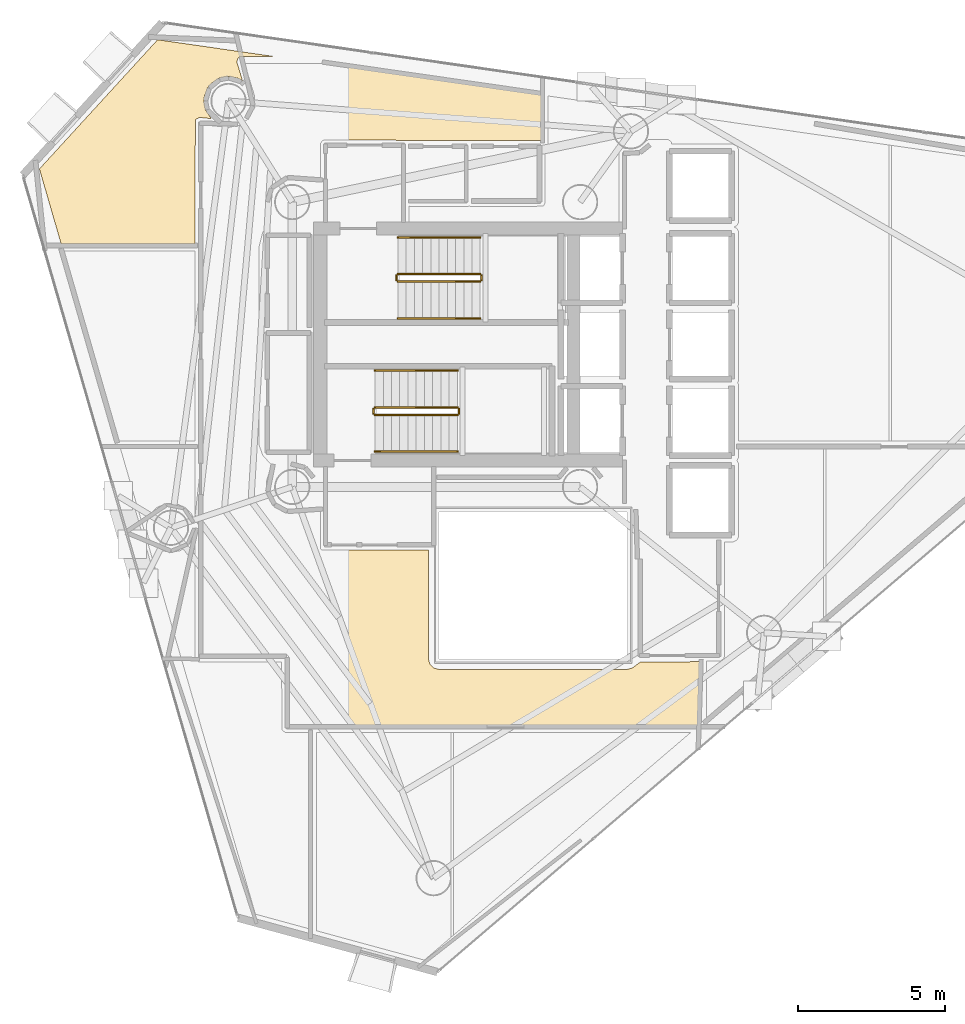
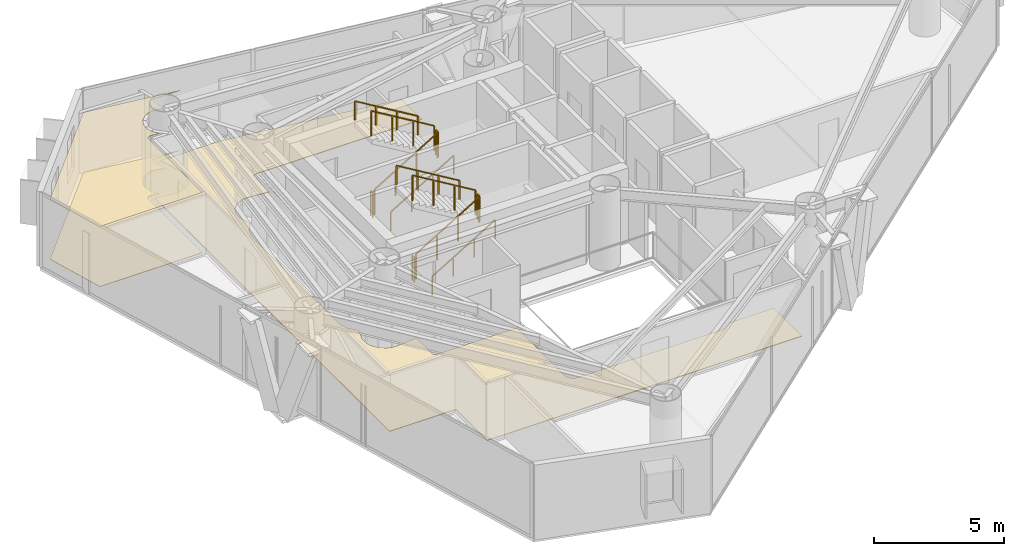
# One storey, part 22 of 23: 12 railings, 3 coverings.
"""IFC4 building model written with IfcOpenShell, lengths in metres."""

from ifc_helpers import new_model, si_unit, direction, frame, origin, origin_2d, place, context, subcontext, project, spatial, polyline, rectangle, outline, extrude, material, layer, layer_set, type_object, element, save


model = new_model("IFC4")

# Units and contexts
model_context = context("Model", 3, precision=1e-05, world=origin(), true_north=direction((0.0, 1.0)))
body_context = subcontext(model_context, "Body", "Model", "MODEL_VIEW")
ifc_project = project(units=[si_unit("LENGTHUNIT", "METRE"), si_unit("AREAUNIT", "SQUARE_METRE"), si_unit("VOLUMEUNIT", "CUBIC_METRE"), si_unit("PLANEANGLEUNIT", "RADIAN"), si_unit("MASSUNIT", "GRAM", prefix="KILO")], contexts=[model_context])

# Site, building, storey
site_placement = place(None, origin())
site = spatial("IfcSite", under=ifc_project, at=site_placement, CompositionType="ELEMENT")
building_placement = place(site_placement, origin())
building = spatial("IfcBuilding", under=site, at=building_placement, Name="Qianvela Tower", CompositionType="ELEMENT")
storey_placement = place(building_placement, frame((0.0, 0.0, 215.10009765625)))
storey = spatial("IfcBuildingStorey", under=building, at=storey_placement, Name="L55", CompositionType="ELEMENT", Elevation=215.10009765625)

# Coverings
ifc_material_1 = material(Name="Perforated Mineral Acoustic Ceiling Tile")
ifc_layer_1 = layer(ifc_material_1, 0.02490234375)
ifc_layer_set_1 = layer_set([ifc_layer_1], Name="Perforated Mineral Acoustic Ceiling Tile")
covering_type_1 = type_object("IfcCoveringType", Name="COV-CEIL-ACOUSTIC-25", PredefinedType="CEILING", material=ifc_layer_set_1)
covering_1_placement = place(storey_placement, frame((0.0, 0.0, 2.81494140625)))
element("IfcCovering", 1, at=covering_1_placement, inside=storey, type_object=covering_type_1, Name="L55 Acoustic Ceiling Social Galley Kitchen L55-04", PredefinedType="CEILING", context=body_context, shape_type="SweptSolid", body=[
    extrude(outline(polyline([(25.845703125, 36.390380859375), (25.4658203125, 36.427734375), (25.457763671875, 36.42822265625), (25.449951171875, 36.427734375), (25.442138671875, 36.4267578125), (25.4345703125, 36.4248046875), (25.42724609375, 36.422119140625), (25.420166015625, 36.418701171875), (25.341796875, 36.376953125), (25.3349609375, 36.372802734375), (25.32861328125, 36.3681640625), (25.322998046875, 36.36279296875), (25.317626953125, 36.357177734375), (25.31298828125, 36.350830078125), (25.308837890625, 36.343994140625), (25.3056640625, 36.337158203125), (25.302978515625, 36.32958984375), (25.301025390625, 36.322021484375), (25.2998046875, 36.314208984375), (25.29931640625, 36.306396484375), (25.290283203125, 32.1220703125), (20.733154296875, 32.1220703125), (19.992431640625, 34.678466796875), (24.015869140625, 39.076416015625), (27.9814453125, 38.50537109375), (26.833740234375, 38.50048828125), (26.825927734375, 38.5), (26.818115234375, 38.4990234375), (26.810546875, 38.4970703125), (26.80322265625, 38.494384765625), (26.796142578125, 38.490966796875), (26.78955078125, 38.487060546875), (26.783203125, 38.482421875), (26.777587890625, 38.47705078125), (26.772216796875, 38.47119140625), (26.767578125, 38.465087890625), (26.763427734375, 38.458251953125), (26.76025390625, 38.451171875), (26.721435546875, 38.357421875), (26.71875, 38.35009765625), (26.716796875, 38.34228515625), (26.7158203125, 38.334716796875), (26.71533203125, 38.326904296875), (26.7158203125, 38.31884765625), (26.716796875, 38.311279296875), (26.71875, 38.3037109375), (26.90673828125, 37.683349609375), (26.904052734375, 37.685791015625), (26.897705078125, 37.6904296875), (26.890869140625, 37.694580078125), (26.759521484375, 37.7646484375), (26.75244140625, 37.76806640625), (26.7451171875, 37.770751953125), (26.7373046875, 37.772705078125), (26.446533203125, 37.83056640625), (26.438720703125, 37.83154296875), (26.430908203125, 37.83203125), (26.423095703125, 37.83154296875), (26.415283203125, 37.83056640625), (26.12451171875, 37.772705078125), (26.116943359375, 37.770751953125), (26.109619140625, 37.76806640625), (26.102294921875, 37.7646484375), (26.095703125, 37.7607421875), (25.84912109375, 37.595947265625), (25.8427734375, 37.59130859375), (25.8369140625, 37.5859375), (25.831787109375, 37.580078125), (25.7373046875, 37.465087890625), (25.732666015625, 37.458740234375), (25.728515625, 37.451904296875), (25.72509765625, 37.44482421875), (25.61181640625, 37.1708984375), (25.60888671875, 37.16357421875), (25.607177734375, 37.156005859375), (25.60595703125, 37.148193359375), (25.59130859375, 36.999755859375), (25.591064453125, 36.991943359375), (25.59130859375, 36.984130859375), (25.592529296875, 36.976318359375), (25.650390625, 36.685546875), (25.65234375, 36.677978515625), (25.65478515625, 36.67041015625), (25.658203125, 36.663330078125), (25.662353515625, 36.65673828125), (25.8271484375, 36.41015625), (25.831787109375, 36.40380859375), (25.8369140625, 36.39794921875), (25.8427734375, 36.392822265625), (25.845703125, 36.390380859375)])), origin(), (0.0, 0.0, 1.0), 0.02490234375),
])
ifc_material_2 = material(Name="Engineered Acoustic Oak Timber Flooring", Category="wood")
ifc_layer_2 = layer(ifc_material_2, 0.02001953125)
ifc_layer_set_2 = layer_set([ifc_layer_2], Name="Engineered Acoustic Oak Timber Flooring")
covering_type_2 = type_object("IfcCoveringType", Name="COV-FLOOR-OAK-20", PredefinedType="FLOORING", material=ifc_layer_set_2)
covering_2_placement = place(storey_placement, origin())
element("IfcCovering", 2, at=covering_2_placement, inside=storey, type_object=covering_type_2, Name="L55 Finish Flooring Social Galley Kitchen L55-04", PredefinedType="FLOORING", context=body_context, shape_type="SweptSolid", body=[
    extrude(outline(polyline([(25.845703125, 36.390380859375), (25.4658203125, 36.427734375), (25.457763671875, 36.42822265625), (25.449951171875, 36.427734375), (25.442138671875, 36.4267578125), (25.4345703125, 36.4248046875), (25.42724609375, 36.422119140625), (25.420166015625, 36.418701171875), (25.341796875, 36.376953125), (25.3349609375, 36.372802734375), (25.32861328125, 36.3681640625), (25.322998046875, 36.36279296875), (25.317626953125, 36.357177734375), (25.31298828125, 36.350830078125), (25.308837890625, 36.343994140625), (25.3056640625, 36.337158203125), (25.302978515625, 36.32958984375), (25.301025390625, 36.322021484375), (25.2998046875, 36.314208984375), (25.29931640625, 36.306396484375), (25.290283203125, 32.1220703125), (20.733154296875, 32.1220703125), (19.992431640625, 34.678466796875), (24.015869140625, 39.076416015625), (27.9814453125, 38.50537109375), (26.833740234375, 38.50048828125), (26.825927734375, 38.5), (26.818115234375, 38.4990234375), (26.810546875, 38.4970703125), (26.80322265625, 38.494384765625), (26.796142578125, 38.490966796875), (26.78955078125, 38.487060546875), (26.783203125, 38.482421875), (26.777587890625, 38.47705078125), (26.772216796875, 38.47119140625), (26.767578125, 38.465087890625), (26.763427734375, 38.458251953125), (26.76025390625, 38.451171875), (26.721435546875, 38.357421875), (26.71875, 38.35009765625), (26.716796875, 38.34228515625), (26.7158203125, 38.334716796875), (26.71533203125, 38.326904296875), (26.7158203125, 38.31884765625), (26.716796875, 38.311279296875), (26.71875, 38.3037109375), (26.90673828125, 37.683349609375), (26.904052734375, 37.685791015625), (26.897705078125, 37.6904296875), (26.890869140625, 37.694580078125), (26.759521484375, 37.7646484375), (26.75244140625, 37.76806640625), (26.7451171875, 37.770751953125), (26.7373046875, 37.772705078125), (26.446533203125, 37.83056640625), (26.438720703125, 37.83154296875), (26.430908203125, 37.83203125), (26.423095703125, 37.83154296875), (26.415283203125, 37.83056640625), (26.12451171875, 37.772705078125), (26.116943359375, 37.770751953125), (26.109619140625, 37.76806640625), (26.102294921875, 37.7646484375), (26.095703125, 37.7607421875), (25.84912109375, 37.595947265625), (25.8427734375, 37.59130859375), (25.8369140625, 37.5859375), (25.831787109375, 37.580078125), (25.7373046875, 37.465087890625), (25.732666015625, 37.458740234375), (25.728515625, 37.451904296875), (25.72509765625, 37.44482421875), (25.61181640625, 37.1708984375), (25.60888671875, 37.16357421875), (25.607177734375, 37.156005859375), (25.60595703125, 37.148193359375), (25.59130859375, 36.999755859375), (25.591064453125, 36.991943359375), (25.59130859375, 36.984130859375), (25.592529296875, 36.976318359375), (25.650390625, 36.685546875), (25.65234375, 36.677978515625), (25.65478515625, 36.67041015625), (25.658203125, 36.663330078125), (25.662353515625, 36.65673828125), (25.8271484375, 36.41015625), (25.831787109375, 36.40380859375), (25.8369140625, 36.39794921875), (25.8427734375, 36.392822265625), (25.845703125, 36.390380859375)])), origin(), (0.0, 0.0, 1.0), 0.02001953125),
])
ifc_material_3 = material(Name="Honed Stone Terrazzo Flooring", Category="masonry")
ifc_layer_3 = layer(ifc_material_3, 0.030029296875)
ifc_layer_set_3 = layer_set([ifc_layer_3], Name="Honed Stone Terrazzo Flooring")
covering_type_3 = type_object("IfcCoveringType", Name="COV-FLOOR-TERRAZZO-30", PredefinedType="FLOORING", material=ifc_layer_set_3)
covering_3_placement = place(storey_placement, origin())
element("IfcCovering", 3, at=covering_3_placement, inside=storey, type_object=covering_type_3, Name="L55 Finish Flooring L55 Floor Corridor", PredefinedType="FLOORING", context=body_context, shape_type="SweptSolid", body=[
    extrude(outline(polyline([(27.30908203125, 36.801513671875), (27.311767578125, 36.808837890625), (27.313720703125, 36.81640625), (27.31494140625, 36.82421875), (27.315185546875, 36.83203125), (27.315185546875, 37.152099609375), (27.31494140625, 37.159912109375), (27.313720703125, 37.16748046875), (27.311767578125, 37.17529296875), (26.979736328125, 38.27001953125), (29.61669921875, 38.27001953125), (37.070068359375, 37.197021484375), (37.070068359375, 35.64013671875), (29.68798828125, 35.660888671875), (29.680419921875, 35.660400390625), (29.672607421875, 35.6591796875), (29.664794921875, 35.657470703125), (29.657470703125, 35.65478515625), (29.650390625, 35.6513671875), (29.6435546875, 35.6474609375), (29.63720703125, 35.642578125), (29.63134765625, 35.637451171875), (29.626220703125, 35.631591796875), (29.576171875, 35.57080078125), (29.571533203125, 35.564453125), (29.5673828125, 35.5576171875), (29.564208984375, 35.550537109375), (29.561279296875, 35.543212890625), (29.5595703125, 35.53564453125), (29.558349609375, 35.52783203125), (29.55810546875, 35.52001953125), (29.55810546875, 34.35595703125), (28.60791015625, 34.44970703125), (28.60009765625, 34.449951171875), (28.59228515625, 34.44970703125), (28.43212890625, 34.433837890625), (28.42431640625, 34.4326171875), (28.416748046875, 34.430908203125), (28.409423828125, 34.42822265625), (28.11376953125, 34.3056640625), (28.106689453125, 34.302490234375), (28.10009765625, 34.29833984375), (28.09375, 34.293701171875), (28.087890625, 34.288330078125), (27.861572265625, 34.06201171875), (27.8564453125, 34.056396484375), (27.851806640625, 34.050048828125), (27.84765625, 34.043212890625), (27.84423828125, 34.0361328125), (27.7216796875, 33.740478515625), (27.71923828125, 33.733154296875), (27.71728515625, 33.7255859375), (27.716064453125, 33.7177734375), (27.700439453125, 33.557861328125), (27.699951171875, 33.550048828125), (27.700439453125, 33.542236328125), (27.716064453125, 33.382080078125), (27.71728515625, 33.37451171875), (27.71923828125, 33.36669921875), (27.865478515625, 32.884521484375), (27.60107421875, 32.52685546875), (27.5966796875, 32.5205078125), (27.593017578125, 32.513427734375), (27.590087890625, 32.50634765625), (27.587890625, 32.4990234375), (27.472412109375, 32.0458984375), (27.47119140625, 32.039306640625), (27.47021484375, 32.03271484375), (27.469970703125, 32.026123046875), (27.469970703125, 25.291259765625), (27.47021484375, 25.2841796875), (27.47119140625, 25.27734375), (27.47265625, 25.2705078125), (27.474853515625, 25.263916015625), (27.59326171875, 24.938232421875), (27.59619140625, 24.93115234375), (27.599853515625, 24.92431640625), (27.604248046875, 24.91796875), (27.609130859375, 24.911865234375), (27.89111328125, 24.599853515625), (27.71923828125, 24.033203125), (27.71728515625, 24.025634765625), (27.716064453125, 24.017822265625), (27.7158203125, 24.010009765625), (27.7158203125, 23.68994140625), (27.716064453125, 23.68212890625), (27.71728515625, 23.67431640625), (27.71923828125, 23.666748046875), (27.765869140625, 23.512939453125), (27.7685546875, 23.505615234375), (27.77197265625, 23.49853515625), (27.77587890625, 23.49169921875), (27.95361328125, 23.2255859375), (27.958251953125, 23.219482421875), (27.963623046875, 23.213623046875), (27.969482421875, 23.208251953125), (27.9755859375, 23.20361328125), (28.24169921875, 23.02587890625), (28.24853515625, 23.02197265625), (28.255615234375, 23.0185546875), (28.262939453125, 23.015869140625), (28.416748046875, 22.96923828125), (28.42431640625, 22.96728515625), (28.43212890625, 22.966064453125), (28.59228515625, 22.950439453125), (28.60009765625, 22.949951171875), (28.60791015625, 22.950439453125), (29.55810546875, 23.0439453125), (29.55810546875, 21.780029296875), (29.558349609375, 21.772216796875), (29.5595703125, 21.764404296875), (29.561279296875, 21.7568359375), (29.564208984375, 21.74951171875), (29.5673828125, 21.7421875), (29.571533203125, 21.735595703125), (29.576171875, 21.729248046875), (29.581298828125, 21.723388671875), (29.587158203125, 21.71826171875), (29.593505859375, 21.71337890625), (29.600341796875, 21.70947265625), (29.607421875, 21.7060546875), (29.61474609375, 21.703369140625), (29.622314453125, 21.701416015625), (29.630126953125, 21.700439453125), (29.637939453125, 21.699951171875), (33.239990234375, 21.699951171875), (33.239990234375, 18.0), (33.240478515625, 17.990234375), (33.242431640625, 17.980712890625), (33.275390625, 17.8486328125), (33.277587890625, 17.841796875), (33.2802734375, 17.8349609375), (33.283447265625, 17.82861328125), (33.287353515625, 17.822509765625), (33.29150390625, 17.81689453125), (33.29638671875, 17.811279296875), (33.411376953125, 17.696533203125), (33.41796875, 17.690673828125), (33.4248046875, 17.685791015625), (33.432373046875, 17.681396484375), (33.440185546875, 17.677978515625), (33.448486328125, 17.675537109375), (33.58056640625, 17.642333984375), (33.5869140625, 17.64111328125), (33.593505859375, 17.640380859375), (33.60009765625, 17.639892578125), (40.0, 17.639892578125), (40.006591796875, 17.640380859375), (40.012939453125, 17.64111328125), (40.019287109375, 17.642333984375), (40.1513671875, 17.675537109375), (40.15869140625, 17.677734375), (40.166015625, 17.6806640625), (40.172607421875, 17.68408203125), (40.17919921875, 17.6884765625), (40.45947265625, 17.89306640625), (42.469970703125, 17.899658203125), (42.469970703125, 15.75), (42.446533203125, 15.72998046875), (28.47998046875, 15.72998046875), (28.47998046875, 18.050048828125), (28.4794921875, 18.057861328125), (28.478515625, 18.065673828125), (28.4765625, 18.0732421875), (28.473876953125, 18.08056640625), (28.470703125, 18.087646484375), (28.466552734375, 18.094482421875), (28.4619140625, 18.100830078125), (28.45654296875, 18.106689453125), (28.45068359375, 18.11181640625), (28.4443359375, 18.116455078125), (28.437744140625, 18.12060546875), (28.4306640625, 18.123779296875), (28.423095703125, 18.126708984375), (28.41552734375, 18.12841796875), (28.40771484375, 18.129638671875), (28.39990234375, 18.1298828125), (25.530029296875, 18.1298828125), (25.530029296875, 36.180419921875), (26.423095703125, 36.09228515625), (26.430908203125, 36.092041015625), (26.438720703125, 36.09228515625), (26.446533203125, 36.093505859375), (26.760498046875, 36.156005859375), (26.76806640625, 36.157958984375), (26.775390625, 36.160400390625), (26.782470703125, 36.163818359375), (26.789306640625, 36.16796875), (27.055419921875, 36.345703125), (27.0615234375, 36.350341796875), (27.0673828125, 36.355712890625), (27.07275390625, 36.361328125), (27.174560546875, 36.485595703125), (27.17919921875, 36.491943359375), (27.183349609375, 36.498779296875), (27.186767578125, 36.505859375), (27.30908203125, 36.801513671875)])), origin(), (0.0, 0.0, 1.0), 0.02978515625),
])

# Railings
ifc_material_4 = material(Name="Painted Tubular Steel Q355B", Category="steel")
railing_type_1 = type_object("IfcRailingType", Name="RL-STAIR-GUARD-1200", PredefinedType="GUARDRAIL", material=ifc_material_4)
railing_1_placement = place(storey_placement, frame((32.199951171875, 30.840087890625, 0.16796875)))
element("IfcRailing", 4, at=railing_1_placement, inside=storey, type_object=railing_type_1, Name="L55 ST-1 stair guard 1", PredefinedType="GUARDRAIL", context=body_context, shape_type="SweptSolid", body=[
    extrude(rectangle(XDim=0.050048828125, YDim=0.0400390625, at=origin_2d()), frame((0.0, 0.0, 1.179931640625), z_axis=(0.857242210791, 0.0, 0.514913383045), x_axis=(0.0, 1.0, 0.0)), (0.0, 0.0, 1.0), 3.266357421875),
    extrude(rectangle(XDim=0.050048828125, YDim=0.050048828125, at=origin_2d()), origin(), (0.0, 0.0, 1.0), 1.159912109375),
    extrude(rectangle(XDim=0.050048828125, YDim=0.050048828125, at=origin_2d()), frame((0.933349609375, 0.0, 0.560546875)), (0.0, 0.0, 1.0), 1.159912109375),
    extrude(rectangle(XDim=0.050048828125, YDim=0.050048828125, at=origin_2d()), frame((1.86669921875, 0.0, 1.121337890625)), (0.0, 0.0, 1.0), 1.159912109375),
    extrude(rectangle(XDim=0.050048828125, YDim=0.050048828125, at=origin_2d()), frame((2.800048828125, 0.0, 1.681884765625)), (0.0, 0.0, 1.0), 1.159912109375),
])
railing_2_placement = place(storey_placement, frame((35.050048828125, 30.889892578125, 1.849853515625)))
element("IfcRailing", 5, at=railing_2_placement, inside=storey, type_object=railing_type_1, Name="L55 ST-1 stair guard 2", PredefinedType="GUARDRAIL", context=body_context, shape_type="SweptSolid", body=[
    extrude(rectangle(XDim=0.050048828125, YDim=0.0400390625, at=origin_2d()), frame((0.0, 0.0, 1.179931640625), z_axis=(0.0, 1.0, 0.0), x_axis=(-1.0, 0.0, 0.0)), (0.0, 0.0, 1.0), 0.16015625),
    extrude(rectangle(XDim=0.050048828125, YDim=0.050048828125, at=origin_2d()), origin(), (0.0, 0.0, 1.0), 1.159912109375),
    extrude(rectangle(XDim=0.050048828125, YDim=0.050048828125, at=origin_2d()), frame((0.0, 0.16015625, 0.0)), (0.0, 0.0, 1.0), 1.159912109375),
])
railing_3_placement = place(storey_placement, frame((35.0, 31.10009765625, 2.01806640625)))
element("IfcRailing", 6, at=railing_3_placement, inside=storey, type_object=railing_type_1, Name="L55 ST-1 stair guard 3", PredefinedType="GUARDRAIL", context=body_context, shape_type="SweptSolid", body=[
    extrude(rectangle(XDim=0.050048828125, YDim=0.0400390625, at=origin_2d()), frame((0.0, 0.0, 1.179931640625), z_axis=(-0.857242210791, 0.0, 0.514913383045), x_axis=(0.0, -1.0, 0.0)), (0.0, 0.0, 1.0), 3.266357421875),
    extrude(rectangle(XDim=0.050048828125, YDim=0.050048828125, at=origin_2d()), origin(), (0.0, 0.0, 1.0), 1.159912109375),
    extrude(rectangle(XDim=0.050048828125, YDim=0.050048828125, at=origin_2d()), frame((-0.933349609375, 0.0, 0.560546875)), (0.0, 0.0, 1.0), 1.159912109375),
    extrude(rectangle(XDim=0.050048828125, YDim=0.050048828125, at=origin_2d()), frame((-1.86669921875, 0.0, 1.121337890625)), (0.0, 0.0, 1.0), 1.159912109375),
    extrude(rectangle(XDim=0.050048828125, YDim=0.050048828125, at=origin_2d()), frame((-2.800048828125, 0.0, 1.681884765625)), (0.0, 0.0, 1.0), 1.159912109375),
])
railing_4_placement = place(storey_placement, frame((32.14990234375, 30.889892578125, 0.0)))
element("IfcRailing", 7, at=railing_4_placement, inside=storey, type_object=railing_type_1, Name="L55 ST-1 stair guard 4", PredefinedType="GUARDRAIL", context=body_context, shape_type="SweptSolid", body=[
    extrude(rectangle(XDim=0.050048828125, YDim=0.0400390625, at=origin_2d()), frame((0.0, 0.0, 1.179931640625), z_axis=(0.0, 1.0, 0.0), x_axis=(-1.0, 0.0, 0.0)), (0.0, 0.0, 1.0), 0.16015625),
    extrude(rectangle(XDim=0.050048828125, YDim=0.050048828125, at=origin_2d()), origin(), (0.0, 0.0, 1.0), 1.159912109375),
    extrude(rectangle(XDim=0.050048828125, YDim=0.050048828125, at=origin_2d()), frame((0.0, 0.16015625, 0.0)), (0.0, 0.0, 1.0), 1.159912109375),
])
railing_5_placement = place(storey_placement, frame((31.419921875, 26.300048828125, 0.16796875)))
element("IfcRailing", 8, at=railing_5_placement, inside=storey, type_object=railing_type_1, Name="L55 ST-2 stair guard 1", PredefinedType="GUARDRAIL", context=body_context, shape_type="SweptSolid", body=[
    extrude(rectangle(XDim=0.050048828125, YDim=0.0400390625, at=origin_2d()), frame((0.0, 0.0, 1.179931640625), z_axis=(0.857242210791, 0.0, 0.514913383045), x_axis=(0.0, 1.0, 0.0)), (0.0, 0.0, 1.0), 3.266357421875),
    extrude(rectangle(XDim=0.050048828125, YDim=0.050048828125, at=origin_2d()), origin(), (0.0, 0.0, 1.0), 1.159912109375),
    extrude(rectangle(XDim=0.050048828125, YDim=0.050048828125, at=origin_2d()), frame((0.933349609375, 0.0, 0.560546875)), (0.0, 0.0, 1.0), 1.159912109375),
    extrude(rectangle(XDim=0.050048828125, YDim=0.050048828125, at=origin_2d()), frame((1.86669921875, 0.0, 1.121337890625)), (0.0, 0.0, 1.0), 1.159912109375),
    extrude(rectangle(XDim=0.050048828125, YDim=0.050048828125, at=origin_2d()), frame((2.800048828125, 0.0, 1.681884765625)), (0.0, 0.0, 1.0), 1.159912109375),
])
railing_6_placement = place(storey_placement, frame((34.27001953125, 26.35009765625, 1.849853515625)))
element("IfcRailing", 9, at=railing_6_placement, inside=storey, type_object=railing_type_1, Name="L55 ST-2 stair guard 2", PredefinedType="GUARDRAIL", context=body_context, shape_type="SweptSolid", body=[
    extrude(rectangle(XDim=0.050048828125, YDim=0.0400390625, at=origin_2d()), frame((0.0, 0.0, 1.179931640625), z_axis=(0.0, 1.0, 0.0), x_axis=(-1.0, 0.0, 0.0)), (0.0, 0.0, 1.0), 0.159912109375),
    extrude(rectangle(XDim=0.050048828125, YDim=0.050048828125, at=origin_2d()), origin(), (0.0, 0.0, 1.0), 1.159912109375),
    extrude(rectangle(XDim=0.050048828125, YDim=0.050048828125, at=origin_2d()), frame((0.0, 0.159912109375, 0.0)), (0.0, 0.0, 1.0), 1.159912109375),
])
railing_7_placement = place(storey_placement, frame((34.219970703125, 26.56005859375, 2.01806640625)))
element("IfcRailing", 10, at=railing_7_placement, inside=storey, type_object=railing_type_1, Name="L55 ST-2 stair guard 3", PredefinedType="GUARDRAIL", context=body_context, shape_type="SweptSolid", body=[
    extrude(rectangle(XDim=0.050048828125, YDim=0.0400390625, at=origin_2d()), frame((0.0, 0.0, 1.179931640625), z_axis=(-0.857242210791, 0.0, 0.514913383045), x_axis=(0.0, -1.0, 0.0)), (0.0, 0.0, 1.0), 3.266357421875),
    extrude(rectangle(XDim=0.050048828125, YDim=0.050048828125, at=origin_2d()), origin(), (0.0, 0.0, 1.0), 1.159912109375),
    extrude(rectangle(XDim=0.050048828125, YDim=0.050048828125, at=origin_2d()), frame((-0.933349609375, 0.0, 0.560546875)), (0.0, 0.0, 1.0), 1.159912109375),
    extrude(rectangle(XDim=0.050048828125, YDim=0.050048828125, at=origin_2d()), frame((-1.86669921875, 0.0, 1.121337890625)), (0.0, 0.0, 1.0), 1.159912109375),
    extrude(rectangle(XDim=0.050048828125, YDim=0.050048828125, at=origin_2d()), frame((-2.800048828125, 0.0, 1.681884765625)), (0.0, 0.0, 1.0), 1.159912109375),
])
railing_8_placement = place(storey_placement, frame((31.3701171875, 26.35009765625, 0.0)))
element("IfcRailing", 11, at=railing_8_placement, inside=storey, type_object=railing_type_1, Name="L55 ST-2 stair guard 4", PredefinedType="GUARDRAIL", context=body_context, shape_type="SweptSolid", body=[
    extrude(rectangle(XDim=0.050048828125, YDim=0.0400390625, at=origin_2d()), frame((0.0, 0.0, 1.179931640625), z_axis=(0.0, 1.0, 0.0), x_axis=(-1.0, 0.0, 0.0)), (0.0, 0.0, 1.0), 0.159912109375),
    extrude(rectangle(XDim=0.050048828125, YDim=0.050048828125, at=origin_2d()), origin(), (0.0, 0.0, 1.0), 1.159912109375),
    extrude(rectangle(XDim=0.050048828125, YDim=0.050048828125, at=origin_2d()), frame((0.0, 0.159912109375, 0.0)), (0.0, 0.0, 1.0), 1.159912109375),
])
ifc_material_5 = material(Name="Brushed Stainless Steel 304", Category="steel")
railing_type_2 = type_object("IfcRailingType", Name="RL-STAIR-HANDRAIL-900", PredefinedType="HANDRAIL", material=ifc_material_5)
railing_9_placement = place(storey_placement, frame((32.199951171875, 29.590087890625, 0.16796875)))
element("IfcRailing", 12, at=railing_9_placement, inside=storey, type_object=railing_type_2, Name="L55 ST-1 stair handrail 1", PredefinedType="HANDRAIL", context=body_context, shape_type="SweptSolid", body=[
    extrude(rectangle(XDim=0.050048828125, YDim=0.0400390625, at=origin_2d()), frame((0.0, 0.0, 0.8798828125), z_axis=(0.857242210791, 0.0, 0.514913383045), x_axis=(0.0, 1.0, 0.0)), (0.0, 0.0, 1.0), 3.266357421875),
    extrude(rectangle(XDim=0.050048828125, YDim=0.050048828125, at=origin_2d()), origin(), (0.0, 0.0, 1.0), 0.85986328125),
    extrude(rectangle(XDim=0.050048828125, YDim=0.050048828125, at=origin_2d()), frame((0.933349609375, 0.0, 0.560546875)), (0.0, 0.0, 1.0), 0.85986328125),
    extrude(rectangle(XDim=0.050048828125, YDim=0.050048828125, at=origin_2d()), frame((1.86669921875, 0.0, 1.121337890625)), (0.0, 0.0, 1.0), 0.85986328125),
    extrude(rectangle(XDim=0.050048828125, YDim=0.050048828125, at=origin_2d()), frame((2.800048828125, 0.0, 1.681884765625)), (0.0, 0.0, 1.0), 0.85986328125),
])
railing_10_placement = place(storey_placement, frame((35.0, 32.35009765625, 2.01806640625)))
element("IfcRailing", 13, at=railing_10_placement, inside=storey, type_object=railing_type_2, Name="L55 ST-1 stair handrail 2", PredefinedType="HANDRAIL", context=body_context, shape_type="SweptSolid", body=[
    extrude(rectangle(XDim=0.050048828125, YDim=0.0400390625, at=origin_2d()), frame((0.0, 0.0, 0.8798828125), z_axis=(-0.857242210791, 0.0, 0.514913383045), x_axis=(0.0, -1.0, 0.0)), (0.0, 0.0, 1.0), 3.266357421875),
    extrude(rectangle(XDim=0.050048828125, YDim=0.050048828125, at=origin_2d()), origin(), (0.0, 0.0, 1.0), 0.85986328125),
    extrude(rectangle(XDim=0.050048828125, YDim=0.050048828125, at=origin_2d()), frame((-0.933349609375, 0.0, 0.560546875)), (0.0, 0.0, 1.0), 0.85986328125),
    extrude(rectangle(XDim=0.050048828125, YDim=0.050048828125, at=origin_2d()), frame((-1.86669921875, 0.0, 1.121337890625)), (0.0, 0.0, 1.0), 0.85986328125),
    extrude(rectangle(XDim=0.050048828125, YDim=0.050048828125, at=origin_2d()), frame((-2.800048828125, 0.0, 1.681884765625)), (0.0, 0.0, 1.0), 0.85986328125),
])
railing_11_placement = place(storey_placement, frame((31.419921875, 25.050048828125, 0.16796875)))
element("IfcRailing", 14, at=railing_11_placement, inside=storey, type_object=railing_type_2, Name="L55 ST-2 stair handrail 1", PredefinedType="HANDRAIL", context=body_context, shape_type="SweptSolid", body=[
    extrude(rectangle(XDim=0.050048828125, YDim=0.0400390625, at=origin_2d()), frame((0.0, 0.0, 0.8798828125), z_axis=(0.857242210791, 0.0, 0.514913383045), x_axis=(0.0, 1.0, 0.0)), (0.0, 0.0, 1.0), 3.266357421875),
    extrude(rectangle(XDim=0.050048828125, YDim=0.050048828125, at=origin_2d()), origin(), (0.0, 0.0, 1.0), 0.85986328125),
    extrude(rectangle(XDim=0.050048828125, YDim=0.050048828125, at=origin_2d()), frame((0.933349609375, 0.0, 0.560546875)), (0.0, 0.0, 1.0), 0.85986328125),
    extrude(rectangle(XDim=0.050048828125, YDim=0.050048828125, at=origin_2d()), frame((1.86669921875, 0.0, 1.121337890625)), (0.0, 0.0, 1.0), 0.85986328125),
    extrude(rectangle(XDim=0.050048828125, YDim=0.050048828125, at=origin_2d()), frame((2.800048828125, 0.0, 1.681884765625)), (0.0, 0.0, 1.0), 0.85986328125),
])
railing_12_placement = place(storey_placement, frame((34.219970703125, 27.81005859375, 2.01806640625)))
element("IfcRailing", 15, at=railing_12_placement, inside=storey, type_object=railing_type_2, Name="L55 ST-2 stair handrail 2", PredefinedType="HANDRAIL", context=body_context, shape_type="SweptSolid", body=[
    extrude(rectangle(XDim=0.050048828125, YDim=0.0400390625, at=origin_2d()), frame((0.0, 0.0, 0.8798828125), z_axis=(-0.857242210791, 0.0, 0.514913383045), x_axis=(0.0, -1.0, 0.0)), (0.0, 0.0, 1.0), 3.266357421875),
    extrude(rectangle(XDim=0.050048828125, YDim=0.050048828125, at=origin_2d()), origin(), (0.0, 0.0, 1.0), 0.85986328125),
    extrude(rectangle(XDim=0.050048828125, YDim=0.050048828125, at=origin_2d()), frame((-0.933349609375, 0.0, 0.560546875)), (0.0, 0.0, 1.0), 0.85986328125),
    extrude(rectangle(XDim=0.050048828125, YDim=0.050048828125, at=origin_2d()), frame((-1.86669921875, 0.0, 1.121337890625)), (0.0, 0.0, 1.0), 0.85986328125),
    extrude(rectangle(XDim=0.050048828125, YDim=0.050048828125, at=origin_2d()), frame((-2.800048828125, 0.0, 1.681884765625)), (0.0, 0.0, 1.0), 0.85986328125),
])

save(model, "model.ifc")
